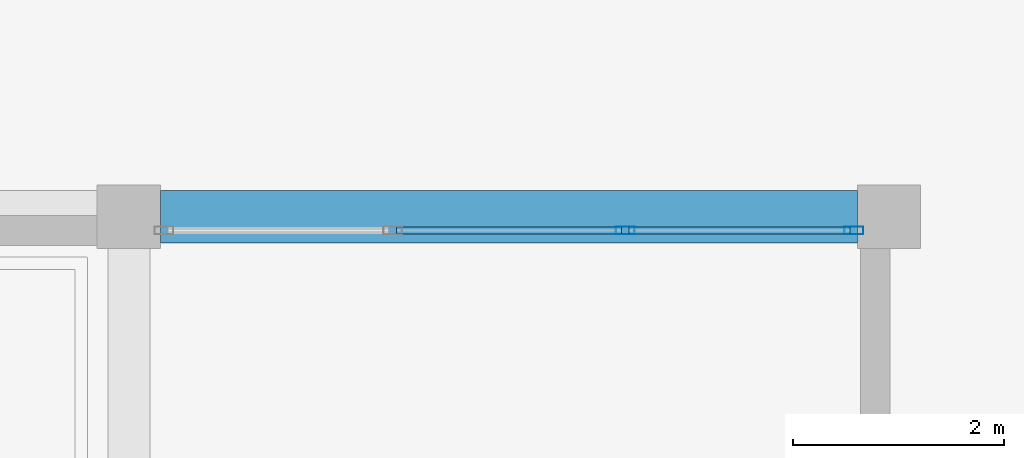
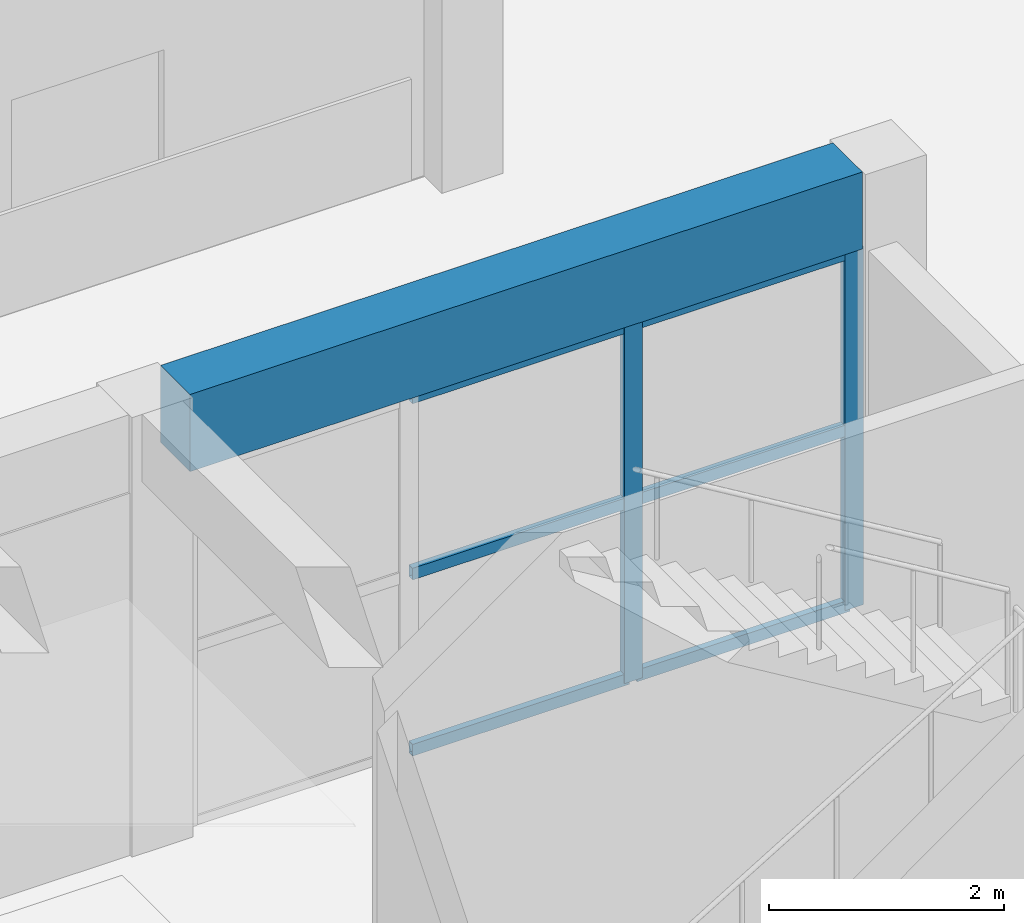
# One storey, part 91 of 155: 8 members, 1 beam, 1 element without a shape of its own.
"""IFC4 building model written with IfcOpenShell, lengths in metres."""

from ifc_helpers import new_model, si_unit, direction, frame, origin, origin_2d, place, context, subcontext, project, spatial, rectangle, hollow_rectangle, extrude, material, material_profile, profile_set, type_object, element, aggregate, save


model = new_model("IFC4")

# Units and contexts
model_context = context("Model", 3, precision=1e-05, world=origin(), true_north=direction((0.0, 1.0)))
body_context = subcontext(model_context, "Body", "Model", "MODEL_VIEW")
ifc_project = project(units=[si_unit("LENGTHUNIT", "METRE"), si_unit("AREAUNIT", "SQUARE_METRE"), si_unit("VOLUMEUNIT", "CUBIC_METRE"), si_unit("PLANEANGLEUNIT", "RADIAN"), si_unit("MASSUNIT", "GRAM", prefix="KILO")], contexts=[model_context])

# Site, building, storey
site_placement = place(None, origin())
site = spatial("IfcSite", under=ifc_project, at=site_placement, CompositionType="ELEMENT")
building_placement = place(site_placement, origin())
building = spatial("IfcBuilding", under=site, at=building_placement, Name="Bramvelor Terrace Health Centre", CompositionType="ELEMENT")
storey_placement = place(building_placement, origin())
storey = spatial("IfcBuildingStorey", under=building, at=storey_placement, Name="L01", CompositionType="ELEMENT", Elevation=0.0)

# Beam
ifc_material_1 = material(Name="Concrete C40/50", Category="concrete")
ifc_material_profile_1 = material_profile(ifc_material_1, rectangle(XDim=0.5, YDim=0.800048828125, at=origin_2d()), Name="RC 500x800")
ifc_profile_set_1 = profile_set([ifc_material_profile_1], Name="Concrete C40/50")
beam_type = type_object("IfcBeamType", Name="BM-RC-G800", PredefinedType="BEAM", material=ifc_profile_set_1)
beam_placement = place(storey_placement, frame((86.699951171875, 79.199951171875, 4.159912109375), z_axis=(1.0, 0.0, 0.0), x_axis=(0.0, 1.0, 0.0)))
element("IfcBeam", 1, at=beam_placement, inside=storey, type_object=beam_type, Name="L01 Floor Girder", PredefinedType="BEAM", context=body_context, shape_type="SweptSolid", body=[
    extrude(rectangle(XDim=0.5, YDim=0.800048828125, at=origin_2d()), origin(), (0.0, 0.0, 1.0), 6.60009765625),
])

# Curtain wall, members
ifc_material_2 = material(Name="Anodized aluminium and double low-E glass", Category="aluminium")
curtain_wall_type = type_object("IfcCurtainWallType", Name="CW-SYS-02", PredefinedType="NOTDEFINED", material=ifc_material_2)
curtain_wall_placement = place(storey_placement, origin())
curtain_wall = element("IfcCurtainWall", 2, at=curtain_wall_placement, inside=storey, type_object=curtain_wall_type, Name="L01 Unitized Curtain Wall 33", PredefinedType="NOTDEFINED")
ifc_material_3 = material(Name="Anodized aluminium 6063-T6", Category="aluminium")
ifc_material_profile_2 = material_profile(ifc_material_3, hollow_rectangle(XDim=0.074951171875, YDim=0.179931640625, WallThickness=0.00341796875, at=origin_2d()), Name="ALU-MUL 75x180x3.5")
ifc_profile_set_2 = profile_set([ifc_material_profile_2], Name="Anodized aluminium 6063-T6")
member_type_1 = type_object("IfcMemberType", Name="CW-MUL-65x180", PredefinedType="MULLION", material=ifc_profile_set_2)
member_1_placement = place(storey_placement, frame((91.1015625, 79.070068359375, 0.0), z_axis=(0.0, 0.0, 1.0), x_axis=(0.0, 1.0, 0.0)))
member_1 = element("IfcMember", 3, at=member_1_placement, type_object=member_type_1, Name="CW-02 mullion 3", PredefinedType="MULLION", context=body_context, shape_type="SweptSolid", body=[
    extrude(hollow_rectangle(XDim=0.074951171875, YDim=0.179931640625, WallThickness=0.00341796875, at=origin_2d()), origin(), (0.0, 0.0, 1.0), 3.719970703125),
])
member_2_placement = place(storey_placement, frame((93.267578125, 79.070068359375, 0.0), z_axis=(0.0, 0.0, 1.0), x_axis=(0.0, 1.0, 0.0)))
member_2 = element("IfcMember", 4, at=member_2_placement, type_object=member_type_1, Name="CW-02 mullion 4", PredefinedType="MULLION", context=body_context, shape_type="SweptSolid", body=[
    extrude(hollow_rectangle(XDim=0.074951171875, YDim=0.179931640625, WallThickness=0.00341796875, at=origin_2d()), origin(), (0.0, 0.0, 1.0), 3.719970703125),
])
ifc_material_4 = material(Name="Anodized aluminium 6063-T6", Category="aluminium")
ifc_material_profile_3 = material_profile(ifc_material_4, hollow_rectangle(XDim=0.06494140625, YDim=0.1201171875, WallThickness=0.0029296875, at=origin_2d()), Name="ALU-TRN 65x120x3.0")
ifc_profile_set_3 = profile_set([ifc_material_profile_3], Name="Anodized aluminium 6063-T6")
member_type_2 = type_object("IfcMemberType", Name="CW-TRN-65x150", PredefinedType="USERDEFINED", material=ifc_profile_set_3)
member_3_placement = place(storey_placement, frame((88.935791015625, 79.070068359375, 0.032470703125), z_axis=(1.0, 0.0, 0.0), x_axis=(0.0, 1.0, 0.0)))
member_3 = element("IfcMember", 5, at=member_3_placement, type_object=member_type_2, Name="CW-02 transom 2.1", ObjectType="TRANSOM", PredefinedType="USERDEFINED", context=body_context, shape_type="SweptSolid", body=[
    extrude(hollow_rectangle(XDim=0.06494140625, YDim=0.1201171875, WallThickness=0.0029296875, at=origin_2d()), origin(), (0.0, 0.0, 1.0), 2.12841796875),
])
member_4_placement = place(storey_placement, frame((88.935791015625, 79.070068359375, 1.860107421875), z_axis=(1.0, 0.0, 0.0), x_axis=(0.0, 1.0, 0.0)))
member_4 = element("IfcMember", 6, at=member_4_placement, type_object=member_type_2, Name="CW-02 transom 2.2", ObjectType="TRANSOM", PredefinedType="USERDEFINED", context=body_context, shape_type="SweptSolid", body=[
    extrude(hollow_rectangle(XDim=0.06494140625, YDim=0.1201171875, WallThickness=0.0029296875, at=origin_2d()), origin(), (0.0, 0.0, 1.0), 2.12841796875),
])
member_5_placement = place(storey_placement, frame((88.935791015625, 79.070068359375, 3.6875), z_axis=(1.0, 0.0, 0.0), x_axis=(0.0, 1.0, 0.0)))
member_5 = element("IfcMember", 7, at=member_5_placement, type_object=member_type_2, Name="CW-02 transom 2.3", ObjectType="TRANSOM", PredefinedType="USERDEFINED", context=body_context, shape_type="SweptSolid", body=[
    extrude(hollow_rectangle(XDim=0.06494140625, YDim=0.1201171875, WallThickness=0.0029296875, at=origin_2d()), origin(), (0.0, 0.0, 1.0), 2.12841796875),
])
member_6_placement = place(storey_placement, frame((91.13916015625, 79.070068359375, 0.032470703125), z_axis=(1.0, 0.0, 0.0), x_axis=(0.0, 1.0, 0.0)))
member_6 = element("IfcMember", 8, at=member_6_placement, type_object=member_type_2, Name="CW-02 transom 3.1", ObjectType="TRANSOM", PredefinedType="USERDEFINED", context=body_context, shape_type="SweptSolid", body=[
    extrude(hollow_rectangle(XDim=0.06494140625, YDim=0.1201171875, WallThickness=0.0029296875, at=origin_2d()), origin(), (0.0, 0.0, 1.0), 2.0908203125),
])
member_7_placement = place(storey_placement, frame((91.13916015625, 79.070068359375, 1.860107421875), z_axis=(1.0, 0.0, 0.0), x_axis=(0.0, 1.0, 0.0)))
member_7 = element("IfcMember", 9, at=member_7_placement, type_object=member_type_2, Name="CW-02 transom 3.2", ObjectType="TRANSOM", PredefinedType="USERDEFINED", context=body_context, shape_type="SweptSolid", body=[
    extrude(hollow_rectangle(XDim=0.06494140625, YDim=0.1201171875, WallThickness=0.0029296875, at=origin_2d()), origin(), (0.0, 0.0, 1.0), 2.0908203125),
])
member_8_placement = place(storey_placement, frame((91.13916015625, 79.070068359375, 3.6875), z_axis=(1.0, 0.0, 0.0), x_axis=(0.0, 1.0, 0.0)))
member_8 = element("IfcMember", 10, at=member_8_placement, type_object=member_type_2, Name="CW-02 transom 3.3", ObjectType="TRANSOM", PredefinedType="USERDEFINED", context=body_context, shape_type="SweptSolid", body=[
    extrude(hollow_rectangle(XDim=0.06494140625, YDim=0.1201171875, WallThickness=0.0029296875, at=origin_2d()), origin(), (0.0, 0.0, 1.0), 2.0908203125),
])
aggregate(curtain_wall, [member_1, member_2, member_3, member_4, member_5, member_6, member_7, member_8])

save(model, "model.ifc")
